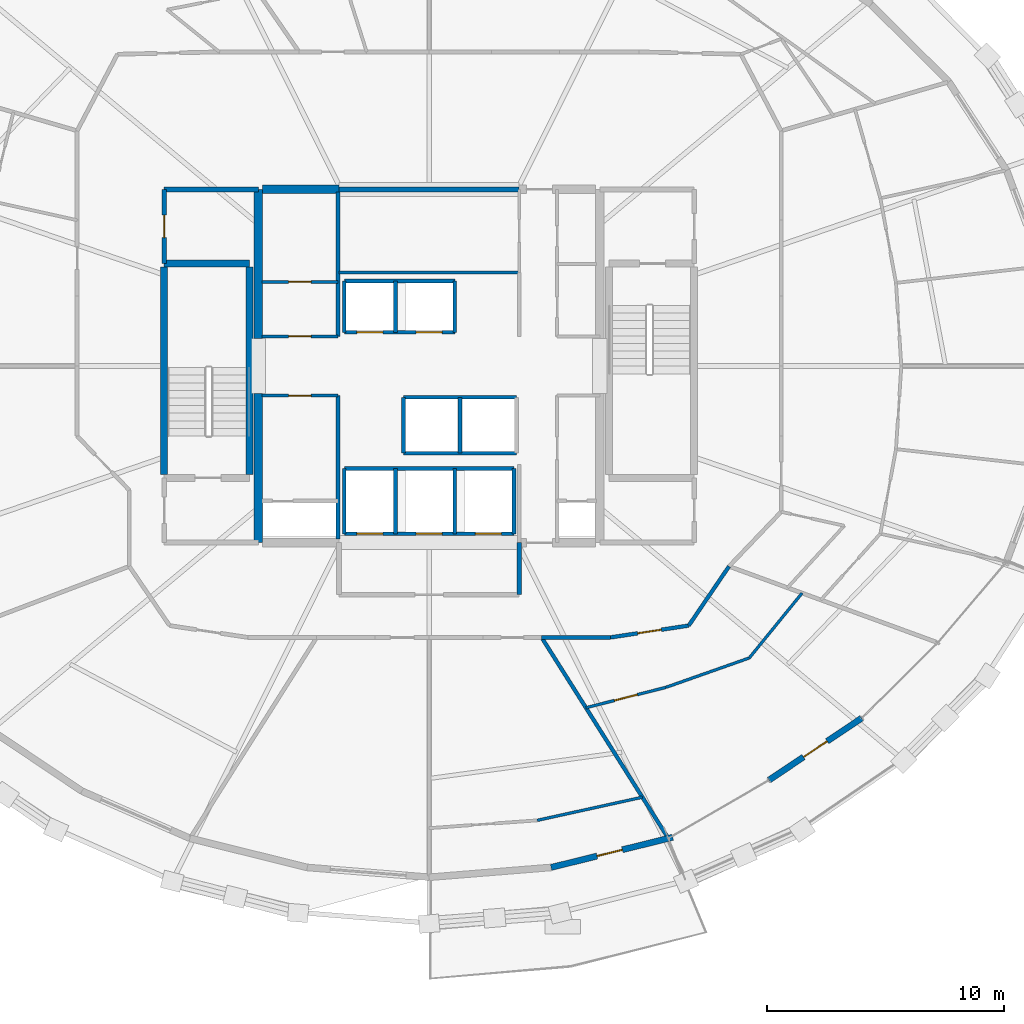
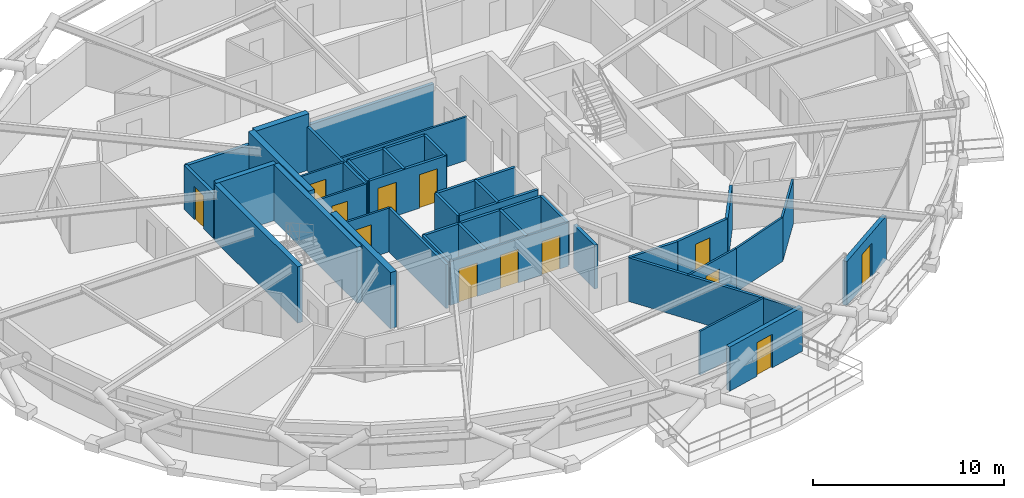
# One storey, part 10 of 14: 41 walls, 13 doors, 13 openings.
"""IFC4 building model written with IfcOpenShell, lengths in metres."""

from ifc_helpers import new_model, si_unit, direction, frame, frame_2d, origin, place, context, subcontext, project, spatial, rectangle, extrude, material, layer, layer_set, type_object, element, fill, save


model = new_model("IFC4")

# Units and contexts
model_context = context("Model", 3, precision=1e-05, world=origin(), true_north=direction((0.0, 1.0)))
body_context = subcontext(model_context, "Body", "Model", "MODEL_VIEW")
ifc_project = project(units=[si_unit("LENGTHUNIT", "METRE"), si_unit("AREAUNIT", "SQUARE_METRE"), si_unit("VOLUMEUNIT", "CUBIC_METRE"), si_unit("PLANEANGLEUNIT", "RADIAN"), si_unit("MASSUNIT", "GRAM", prefix="KILO")], contexts=[model_context])

# Site, building, storey
site_placement = place(None, origin())
site = spatial("IfcSite", under=ifc_project, at=site_placement, CompositionType="ELEMENT")
building_placement = place(site_placement, origin())
building = spatial("IfcBuilding", under=site, at=building_placement, Name="Veldorina Hangang Commons", CompositionType="ELEMENT")
storey_placement = place(building_placement, frame((0.0, 0.0, 149.60009765625)))
storey = spatial("IfcBuildingStorey", under=building, at=storey_placement, Name="L38", CompositionType="ELEMENT", Elevation=149.60009765625)

# Walls
ifc_material_1 = material(Name="Concrete C60/75", Category="concrete")
ifc_layer_1 = layer(ifc_material_1, 0.360107421875)
ifc_layer_set_1 = layer_set([ifc_layer_1], Name="Concrete C60/75")
wall_type_1 = type_object("IfcWallType", Name="CW-RC360-C60", PredefinedType="SHEAR", material=ifc_layer_set_1)
for number, where, z_axis, x_axis, name in (
    (1, (24.800048828125, 16.550048828125, 0.0), (0.0, 0.0, 1.0), (0.0, 1.0, 0.0), "L38 W south core shear wall"),
    (2, (24.800048828125, 25.14990234375, 0.0), (0.0, 0.0, 1.0), (0.0, 1.0, 0.0), "L38 W north core shear wall"),
):
    element("IfcWall", number, at=place(storey_placement, frame(where, z_axis=z_axis, x_axis=x_axis)), inside=storey, type_object=wall_type_1, Name=name, PredefinedType="SHEAR", context=body_context, shape_type="SweptSolid", body=[
        extrude(rectangle(XDim=6.300048828125, YDim=0.360107421875, at=frame_2d((3.14990234375, 0.0))), origin(), (0.0, 0.0, 1.0), 3.599853515625),
    ])
wall_1_placement = place(storey_placement, frame((24.97998046875, 31.449951171875, 0.0), z_axis=(0.0, 0.0, 1.0), x_axis=(1.0, 0.0, 0.0)))
element("IfcWall", 3, at=wall_1_placement, inside=storey, type_object=wall_type_1, Name="L38 north-west core shear wall", PredefinedType="SHEAR", context=body_context, shape_type="SweptSolid", body=[
    extrude(rectangle(XDim=3.219970703125, YDim=0.360107421875, at=frame_2d((1.60986328125, 0.0))), origin(), (0.0, 0.0, 1.0), 3.599853515625),
])

# Wall, opening, door
ifc_material_2 = material(Name="Stone Roman Travertine", Category="masonry")
ifc_layer_2 = layer(ifc_material_2, 0.260009765625)
ifc_layer_set_2 = layer_set([ifc_layer_2], Name="Stone Roman Travertine")
wall_type_2 = type_object("IfcWallType", Name="EW-LOGGIA-260", PredefinedType="STANDARD", material=ifc_layer_set_2)
wall_2_placement = place(storey_placement, frame((37.143798828125, 2.846435546875, 0.0), z_axis=(0.0, 0.0, 1.0), x_axis=(0.970567406562, 0.240829627165, 0.0)))
wall_2 = element("IfcWall", 4, at=wall_2_placement, inside=storey, type_object=wall_type_2, Name="L38 sky-garden loggia portal wall 25", PredefinedType="STANDARD", context=body_context, shape_type="SweptSolid", body=[
    extrude(rectangle(XDim=5.28759765625, YDim=0.260009765625, at=frame_2d((2.643798828125, 0.0))), origin(), (0.0, 0.0, 1.0), 2.81982421875),
])
opening_1_placement = place(wall_2_placement, frame((1.998046875, 0.0, 0.0)))
opening_1 = element("IfcOpeningElement", 5, at=opening_1_placement, cuts=wall_2, Name="Opening BD-1100", PredefinedType="OPENING", context=body_context, shape_type="SweptSolid", body=[
    extrude(rectangle(XDim=1.10009765625, YDim=2.14990234375, at=frame_2d((0.550048828125, 1.074951171875))), frame((0.0, 0.14013671875, 0.0), z_axis=(0.0, -1.0, 0.0), x_axis=(1.0, 0.0, 0.0)), (0.0, 0.0, 1.0), 0.280029296875),
])
ifc_material_3 = material(Name="Glass Thermal Aluminium Frame", Category="aluminium")
door_type_1 = type_object("IfcDoorType", Name="DR-EXT-BAL1100", OperationType="SINGLE_SWING_RIGHT", PredefinedType="DOOR", material=ifc_material_3)
door_1_placement = place(opening_1_placement, origin())
door_1 = element("IfcDoor", 6, at=door_1_placement, inside=storey, type_object=door_type_1, Name="L38 tree balcony glazed exterior door 25", OperationType="SINGLE_SWING_RIGHT", OverallHeight=2.14990234375, OverallWidth=1.10009765625, PredefinedType="DOOR", context=body_context, shape_type="SweptSolid", body=[
    extrude(rectangle(XDim=1.10009765625, YDim=2.14990234375, at=frame_2d((0.550048828125, 1.074951171875))), frame((0.0, 0.02490234375, 0.0), z_axis=(0.0, -1.0, 0.0), x_axis=(1.0, 0.0, 0.0)), (0.0, 0.0, 1.0), 0.050048828125),
])
fill(opening_1, door_1)

wall_3_placement = place(storey_placement, frame((46.3369140625, 6.532470703125, 0.0), z_axis=(0.0, 0.0, 1.0), x_axis=(0.831514821752, 0.555502566336, 0.0)))
wall_3 = element("IfcWall", 7, at=wall_3_placement, inside=storey, type_object=wall_type_2, Name="L38 sky-garden loggia portal wall 27", PredefinedType="STANDARD", context=body_context, shape_type="SweptSolid", body=[
    extrude(rectangle(XDim=4.703125, YDim=0.260009765625, at=frame_2d((2.3515625, 0.0))), origin(), (0.0, 0.0, 1.0), 2.81982421875),
])
opening_2_placement = place(wall_3_placement, frame((1.75146484375, 0.0, 0.0)))
opening_2 = element("IfcOpeningElement", 8, at=opening_2_placement, cuts=wall_3, Name="Opening BD-1200", PredefinedType="OPENING", context=body_context, shape_type="SweptSolid", body=[
    extrude(rectangle(XDim=1.199951171875, YDim=2.14990234375, at=frame_2d((0.60009765625, 1.074951171875))), frame((0.0, 0.14013671875, 0.0), z_axis=(0.0, -1.0, 0.0), x_axis=(1.0, 0.0, 0.0)), (0.0, 0.0, 1.0), 0.280029296875),
])
door_type_2 = type_object("IfcDoorType", Name="DR-EXT-LOG1200", OperationType="SINGLE_SWING_LEFT", PredefinedType="DOOR", material=ifc_material_3)
door_2_placement = place(opening_2_placement, origin())
door_2 = element("IfcDoor", 9, at=door_2_placement, inside=storey, type_object=door_type_2, Name="L38 loggia glazed exterior door 27", OperationType="SINGLE_SWING_RIGHT", OverallHeight=2.14990234375, OverallWidth=1.199951171875, PredefinedType="DOOR", context=body_context, shape_type="SweptSolid", body=[
    extrude(rectangle(XDim=1.199951171875, YDim=2.14990234375, at=frame_2d((0.60009765625, 1.074951171875))), frame((0.0, 0.02490234375, 0.0), z_axis=(0.0, -1.0, 0.0), x_axis=(1.0, 0.0, 0.0)), (0.0, 0.0, 1.0), 0.050048828125),
])
fill(opening_2, door_2)

# Walls
ifc_material_4 = material(Name="Concrete C50/60", Category="concrete")
ifc_layer_3 = layer(ifc_material_4, 0.300048828125)
ifc_layer_set_3 = layer_set([ifc_layer_3], Name="Concrete C50/60")
wall_type_3 = type_object("IfcWallType", Name="SW-STAIR-300", PredefinedType="SHEAR", material=ifc_layer_set_3)
for number, where, z_axis, x_axis, name in (
    (10, (20.820068359375, 19.429931640625, 0.0), (0.0, 0.0, 1.0), (0.0, 1.0, 0.0), "L38 ST1 outer stair shear wall"),
    (11, (24.419921875, 19.429931640625, 0.0), (0.0, 0.0, 1.0), (0.0, 1.0, 0.0), "L38 ST1 inner stair shear wall"),
):
    element("IfcWall", number, at=place(storey_placement, frame(where, z_axis=z_axis, x_axis=x_axis)), inside=storey, type_object=wall_type_3, Name=name, PredefinedType="SHEAR", context=body_context, shape_type="SweptSolid", body=[
        extrude(rectangle(XDim=8.739990234375, YDim=0.300048828125, at=frame_2d((4.3701171875, 0.0))), origin(), (0.0, 0.0, 1.0), 3.599853515625),
    ])
wall_4_placement = place(storey_placement, frame((20.820068359375, 28.320068359375, 0.0), z_axis=(0.0, 0.0, 1.0), x_axis=(1.0, 0.0, 0.0)))
element("IfcWall", 12, at=wall_4_placement, inside=storey, type_object=wall_type_3, Name="L38 ST1 north stair shear wall", PredefinedType="SHEAR", context=body_context, shape_type="SweptSolid", body=[
    extrude(rectangle(XDim=3.599853515625, YDim=0.300048828125, at=frame_2d((1.7998046875, 0.0))), origin(), (0.0, 0.0, 1.0), 3.599853515625),
])

# Wall, openings, doors
ifc_material_5 = material(Name="Gypsum Fire-Rated Twin Stud Wall", Category="gypsum")
ifc_layer_4 = layer(ifc_material_5, 0.159912109375)
ifc_layer_set_4 = layer_set([ifc_layer_4], Name="Gypsum Fire-Rated Twin Stud Wall")
wall_type_4 = type_object("IfcWallType", Name="WL-FIRE-160", PredefinedType="SOLIDWALL", material=ifc_layer_set_4)
wall_5_placement = place(storey_placement, frame((28.419921875, 25.419921875, 0.0), z_axis=(0.0, 0.0, 1.0), x_axis=(1.0, 0.0, 0.0)))
wall_5 = element("IfcWall", 13, at=wall_5_placement, inside=storey, type_object=wall_type_4, Name="L38 Mid-high front shaft wall 015", PredefinedType="SOLIDWALL", context=body_context, shape_type="SweptSolid", body=[
    extrude(rectangle(XDim=4.66015625, YDim=0.159912109375, at=frame_2d((2.330078125, 0.0))), origin(), (0.0, 0.0, 1.0), 2.7998046875),
])
opening_3_placement = place(wall_5_placement, frame((0.530029296875, 0.0, 0.0)))
opening_3 = element("IfcOpeningElement", 14, at=opening_3_placement, cuts=wall_5, Name="Opening LD-01", PredefinedType="OPENING", context=body_context, shape_type="SweptSolid", body=[
    extrude(rectangle(XDim=1.10009765625, YDim=2.14990234375, at=frame_2d((0.550048828125, 1.074951171875))), frame((0.0, 0.08984375, 0.0), z_axis=(0.0, -1.0, 0.0), x_axis=(1.0, 0.0, 0.0)), (0.0, 0.0, 1.0), 0.179931640625),
])
opening_4_placement = place(wall_5_placement, frame((3.030029296875, 0.0, 0.0)))
opening_4 = element("IfcOpeningElement", 15, at=opening_4_placement, cuts=wall_5, Name="Opening LD-01", PredefinedType="OPENING", context=body_context, shape_type="SweptSolid", body=[
    extrude(rectangle(XDim=1.10009765625, YDim=2.14990234375, at=frame_2d((0.550048828125, 1.074951171875))), frame((0.0, 0.08984375, 0.0), z_axis=(0.0, -1.0, 0.0), x_axis=(1.0, 0.0, 0.0)), (0.0, 0.0, 1.0), 0.179931640625),
])
ifc_material_6 = material(Name="Stainless Steel Brushed Lift Door", Category="steel")
door_type_3 = type_object("IfcDoorType", Name="DR-LIFT-1100", OperationType="SLIDING_TO_LEFT", PredefinedType="DOOR", material=ifc_material_6)
door_3_placement = place(opening_3_placement, origin())
door_3 = element("IfcDoor", 16, at=door_3_placement, inside=storey, type_object=door_type_3, Name="L38 Lift PL-M1 landing door 006", OperationType="SLIDING_TO_RIGHT", OverallHeight=2.14990234375, OverallWidth=1.10009765625, PredefinedType="DOOR", context=body_context, shape_type="SweptSolid", body=[
    extrude(rectangle(XDim=1.10009765625, YDim=2.14990234375, at=frame_2d((0.550048828125, 1.074951171875))), frame((0.0, 0.02490234375, 0.0), z_axis=(0.0, -1.0, 0.0), x_axis=(1.0, 0.0, 0.0)), (0.0, 0.0, 1.0), 0.050048828125),
])
fill(opening_3, door_3)
door_4_placement = place(opening_4_placement, origin())
door_4 = element("IfcDoor", 17, at=door_4_placement, inside=storey, type_object=door_type_3, Name="L38 Lift PL-M2 landing door 007", OperationType="SLIDING_TO_RIGHT", OverallHeight=2.14990234375, OverallWidth=1.10009765625, PredefinedType="DOOR", context=body_context, shape_type="SweptSolid", body=[
    extrude(rectangle(XDim=1.10009765625, YDim=2.14990234375, at=frame_2d((0.550048828125, 1.074951171875))), frame((0.0, 0.02490234375, 0.0), z_axis=(0.0, -1.0, 0.0), x_axis=(1.0, 0.0, 0.0)), (0.0, 0.0, 1.0), 0.050048828125),
])
fill(opening_4, door_4)

# Walls
wall_6_placement = place(storey_placement, frame((28.419921875, 27.580078125, 0.0), z_axis=(0.0, 0.0, 1.0), x_axis=(1.0, 0.0, 0.0)))
element("IfcWall", 18, at=wall_6_placement, inside=storey, type_object=wall_type_4, Name="L38 Mid-high rear shaft wall 016", PredefinedType="SOLIDWALL", context=body_context, shape_type="SweptSolid", body=[
    extrude(rectangle(XDim=4.66015625, YDim=0.159912109375, at=frame_2d((2.330078125, 0.0))), origin(), (0.0, 0.0, 1.0), 2.7998046875),
])
for number, where, z_axis, x_axis, name in (
    (19, (28.419921875, 25.419921875, 0.0), (0.0, 0.0, 1.0), (0.0, 1.0, 0.0), "L38 PL-M1 west shaft wall 017"),
    (20, (30.580078125, 25.419921875, 0.0), (0.0, 0.0, 1.0), (0.0, 1.0, 0.0), "L38 PL-M1 east shaft wall 018"),
    (21, (33.080078125, 25.419921875, 0.0), (0.0, 0.0, 1.0), (0.0, 1.0, 0.0), "L38 PL-M2 east shaft wall 019"),
):
    element("IfcWall", number, at=place(storey_placement, frame(where, z_axis=z_axis, x_axis=x_axis)), inside=storey, type_object=wall_type_4, Name=name, PredefinedType="SOLIDWALL", context=body_context, shape_type="SweptSolid", body=[
        extrude(rectangle(XDim=2.16015625, YDim=0.159912109375, at=frame_2d((1.080078125, 0.0))), origin(), (0.0, 0.0, 1.0), 2.7998046875),
    ])
for number, where, z_axis, x_axis, name in (
    (22, (30.919921875, 22.679931640625, 0.0), (0.0, 0.0, 1.0), (1.0, 0.0, 0.0), "L38 Shuttle-high front shaft wall 020"),
    (23, (30.919921875, 20.320068359375, 0.0), (0.0, 0.0, 1.0), (1.0, 0.0, 0.0), "L38 Shuttle-high rear shaft wall 021"),
):
    element("IfcWall", number, at=place(storey_placement, frame(where, z_axis=z_axis, x_axis=x_axis)), inside=storey, type_object=wall_type_4, Name=name, PredefinedType="SOLIDWALL", context=body_context, shape_type="SweptSolid", body=[
        extrude(rectangle(XDim=4.760009765625, YDim=0.159912109375, at=frame_2d((2.3798828125, 0.0))), origin(), (0.0, 0.0, 1.0), 2.7998046875),
    ])
for number, where, z_axis, x_axis, name in (
    (24, (30.919921875, 20.320068359375, 0.0), (0.0, 0.0, 1.0), (0.0, 1.0, 0.0), "L38 SL-1 west shaft wall 022"),
    (25, (33.300048828125, 20.320068359375, 0.0), (0.0, 0.0, 1.0), (0.0, 1.0, 0.0), "L38 SL-1 east shaft wall 023"),
):
    element("IfcWall", number, at=place(storey_placement, frame(where, z_axis=z_axis, x_axis=x_axis)), inside=storey, type_object=wall_type_4, Name=name, PredefinedType="SOLIDWALL", context=body_context, shape_type="SweptSolid", body=[
        extrude(rectangle(XDim=2.35986328125, YDim=0.159912109375, at=frame_2d((1.179931640625, 0.0))), origin(), (0.0, 0.0, 1.0), 2.7998046875),
    ])

# Wall, openings, doors
wall_7_placement = place(storey_placement, frame((28.419921875, 16.919921875, 0.0), z_axis=(0.0, 0.0, 1.0), x_axis=(1.0, 0.0, 0.0)))
wall_7 = element("IfcWall", 26, at=wall_7_placement, inside=storey, type_object=wall_type_4, Name="L38 Emergency front shaft wall 025", PredefinedType="SOLIDWALL", context=body_context, shape_type="SweptSolid", body=[
    extrude(rectangle(XDim=7.16015625, YDim=0.159912109375, at=frame_2d((3.580078125, 0.0))), origin(), (0.0, 0.0, 1.0), 2.7998046875),
])
opening_5_placement = place(wall_7_placement, frame((0.530029296875, 0.0, 0.0)))
opening_5 = element("IfcOpeningElement", 27, at=opening_5_placement, cuts=wall_7, Name="Opening LD-03", PredefinedType="OPENING", context=body_context, shape_type="SweptSolid", body=[
    extrude(rectangle(XDim=1.10009765625, YDim=2.14990234375, at=frame_2d((0.550048828125, 1.074951171875))), frame((0.0, 0.08984375, 0.0), z_axis=(0.0, -1.0, 0.0), x_axis=(1.0, 0.0, 0.0)), (0.0, 0.0, 1.0), 0.179931640625),
])
opening_6_placement = place(wall_7_placement, frame((3.030029296875, 0.0, 0.0)))
opening_6 = element("IfcOpeningElement", 28, at=opening_6_placement, cuts=wall_7, Name="Opening LD-03", PredefinedType="OPENING", context=body_context, shape_type="SweptSolid", body=[
    extrude(rectangle(XDim=1.10009765625, YDim=2.14990234375, at=frame_2d((0.550048828125, 1.074951171875))), frame((0.0, 0.08984375, 0.0), z_axis=(0.0, -1.0, 0.0), x_axis=(1.0, 0.0, 0.0)), (0.0, 0.0, 1.0), 0.179931640625),
])
opening_7_placement = place(wall_7_placement, frame((5.530029296875, 0.0, 0.0)))
opening_7 = element("IfcOpeningElement", 29, at=opening_7_placement, cuts=wall_7, Name="Opening LD-03", PredefinedType="OPENING", context=body_context, shape_type="SweptSolid", body=[
    extrude(rectangle(XDim=1.10009765625, YDim=2.14990234375, at=frame_2d((0.550048828125, 1.074951171875))), frame((0.0, 0.08984375, 0.0), z_axis=(0.0, -1.0, 0.0), x_axis=(1.0, 0.0, 0.0)), (0.0, 0.0, 1.0), 0.179931640625),
])
ifc_material_7 = material(Name="Stainless Steel Firefighting Lift Door", Category="steel")
door_type_4 = type_object("IfcDoorType", Name="DR-LIFT-FF1100", OperationType="SLIDING_TO_RIGHT", PredefinedType="DOOR", material=ifc_material_7)
door_5_placement = place(opening_5_placement, origin())
door_5 = element("IfcDoor", 30, at=door_5_placement, inside=storey, type_object=door_type_4, Name="L38 Emergency lift FFL-1 landing door 008", OperationType="SLIDING_TO_RIGHT", OverallHeight=2.14990234375, OverallWidth=1.10009765625, PredefinedType="DOOR", context=body_context, shape_type="SweptSolid", body=[
    extrude(rectangle(XDim=1.10009765625, YDim=2.14990234375, at=frame_2d((0.550048828125, 1.074951171875))), frame((0.0, 0.02490234375, 0.0), z_axis=(0.0, -1.0, 0.0), x_axis=(1.0, 0.0, 0.0)), (0.0, 0.0, 1.0), 0.050048828125),
])
fill(opening_5, door_5)
door_6_placement = place(opening_6_placement, origin())
door_6 = element("IfcDoor", 31, at=door_6_placement, inside=storey, type_object=door_type_4, Name="L38 Emergency lift FFL-2 landing door 009", OperationType="SLIDING_TO_RIGHT", OverallHeight=2.14990234375, OverallWidth=1.10009765625, PredefinedType="DOOR", context=body_context, shape_type="SweptSolid", body=[
    extrude(rectangle(XDim=1.10009765625, YDim=2.14990234375, at=frame_2d((0.550048828125, 1.074951171875))), frame((0.0, 0.02490234375, 0.0), z_axis=(0.0, -1.0, 0.0), x_axis=(1.0, 0.0, 0.0)), (0.0, 0.0, 1.0), 0.050048828125),
])
fill(opening_6, door_6)
door_7_placement = place(opening_7_placement, origin())
door_7 = element("IfcDoor", 32, at=door_7_placement, inside=storey, type_object=door_type_4, Name="L38 Emergency lift EVL-1 landing door 010", OperationType="SLIDING_TO_RIGHT", OverallHeight=2.14990234375, OverallWidth=1.10009765625, PredefinedType="DOOR", context=body_context, shape_type="SweptSolid", body=[
    extrude(rectangle(XDim=1.10009765625, YDim=2.14990234375, at=frame_2d((0.550048828125, 1.074951171875))), frame((0.0, 0.02490234375, 0.0), z_axis=(0.0, -1.0, 0.0), x_axis=(1.0, 0.0, 0.0)), (0.0, 0.0, 1.0), 0.050048828125),
])
fill(opening_7, door_7)

# Walls
wall_8_placement = place(storey_placement, frame((28.419921875, 19.679931640625, 0.0), z_axis=(0.0, 0.0, 1.0), x_axis=(1.0, 0.0, 0.0)))
element("IfcWall", 33, at=wall_8_placement, inside=storey, type_object=wall_type_4, Name="L38 Emergency rear shaft wall 026", PredefinedType="SOLIDWALL", context=body_context, shape_type="SweptSolid", body=[
    extrude(rectangle(XDim=7.16015625, YDim=0.159912109375, at=frame_2d((3.580078125, 0.0))), origin(), (0.0, 0.0, 1.0), 2.7998046875),
])
for number, where, z_axis, x_axis, name in (
    (34, (28.419921875, 16.919921875, 0.0), (0.0, 0.0, 1.0), (0.0, 1.0, 0.0), "L38 FFL-1 west shaft wall 027"),
    (35, (30.580078125, 16.919921875, 0.0), (0.0, 0.0, 1.0), (0.0, 1.0, 0.0), "L38 FFL-1 east shaft wall 028"),
    (36, (33.080078125, 16.919921875, 0.0), (0.0, 0.0, 1.0), (0.0, 1.0, 0.0), "L38 FFL-2 east shaft wall 029"),
    (37, (35.580078125, 16.919921875, 0.0), (0.0, 0.0, 1.0), (0.0, 1.0, 0.0), "L38 EVL-1 east shaft wall 030"),
):
    element("IfcWall", number, at=place(storey_placement, frame(where, z_axis=z_axis, x_axis=x_axis)), inside=storey, type_object=wall_type_4, Name=name, PredefinedType="SOLIDWALL", context=body_context, shape_type="SweptSolid", body=[
        extrude(rectangle(XDim=2.760009765625, YDim=0.159912109375, at=frame_2d((1.3798828125, 0.0))), origin(), (0.0, 0.0, 1.0), 2.7998046875),
    ])
wall_9_placement = place(storey_placement, frame((28.14990234375, 16.699951171875, 0.0), z_axis=(0.0, 0.0, 1.0), x_axis=(0.0, 1.0, 0.0)))
element("IfcWall", 38, at=wall_9_placement, inside=storey, type_object=wall_type_4, Name="L38 SW core inner wall 035", PredefinedType="SOLIDWALL", context=body_context, shape_type="SweptSolid", body=[
    extrude(rectangle(XDim=6.050048828125, YDim=0.159912109375, at=frame_2d((3.02490234375, 0.0))), origin(), (0.0, 0.0, 1.0), 2.7998046875),
])
wall_10_placement = place(storey_placement, frame((28.14990234375, 25.25, 0.0), z_axis=(0.0, 0.0, 1.0), x_axis=(0.0, 1.0, 0.0)))
element("IfcWall", 39, at=wall_10_placement, inside=storey, type_object=wall_type_4, Name="L38 NW core inner wall 037", PredefinedType="SOLIDWALL", context=body_context, shape_type="SweptSolid", body=[
    extrude(rectangle(XDim=6.10009765625, YDim=0.159912109375, at=frame_2d((3.050048828125, 0.0))), origin(), (0.0, 0.0, 1.0), 2.7998046875),
])
wall_11_placement = place(storey_placement, frame((36.74267578125, 12.550048828125, 0.0), z_axis=(0.0, 0.0, 1.0), x_axis=(1.0, 0.0, 0.0)))
element("IfcWall", 40, at=wall_11_placement, inside=storey, type_object=wall_type_4, Name="L38 U-corridor outer wall 26 072", PredefinedType="SOLIDWALL", context=body_context, shape_type="SweptSolid", body=[
    extrude(rectangle(XDim=2.907958984375, YDim=0.159912109375, at=frame_2d((1.4541015625, 0.0))), origin(), (0.0, 0.0, 1.0), 2.7998046875),
])

# Wall, opening, door
wall_12_placement = place(storey_placement, frame((39.650634765625, 12.550048828125, 0.0), z_axis=(0.0, 0.0, 1.0), x_axis=(0.988710906508, 0.149835721217, 0.0)))
wall_12 = element("IfcWall", 41, at=wall_12_placement, inside=storey, type_object=wall_type_4, Name="L38 U-corridor outer wall 27 073", PredefinedType="SOLIDWALL", context=body_context, shape_type="SweptSolid", body=[
    extrude(rectangle(XDim=3.3369140625, YDim=0.159912109375, at=frame_2d((1.66845703125, 0.0))), origin(), (0.0, 0.0, 1.0), 2.7998046875),
])
opening_8_placement = place(wall_12_placement, frame((1.16845703125, 0.0, 0.0)))
opening_8 = element("IfcOpeningElement", 42, at=opening_8_placement, cuts=wall_12, Name="Opening D-05", PredefinedType="OPENING", context=body_context, shape_type="SweptSolid", body=[
    extrude(rectangle(XDim=1.0, YDim=2.10009765625, at=frame_2d((0.5, 1.050048828125))), frame((0.0, 0.08984375, 0.0), z_axis=(0.0, -1.0, 0.0), x_axis=(1.0, 0.0, 0.0)), (0.0, 0.0, 1.0), 0.179931640625),
])
ifc_material_8 = material(Name="Timber Solid Core Acoustic", Category="wood")
door_type_5 = type_object("IfcDoorType", Name="DR-INT-1000", OperationType="SINGLE_SWING_RIGHT", PredefinedType="DOOR", material=ifc_material_8)
door_8_placement = place(opening_8_placement, origin())
door_8 = element("IfcDoor", 43, at=door_8_placement, inside=storey, type_object=door_type_5, Name="L38 Commons alcove door 020", OperationType="SINGLE_SWING_RIGHT", OverallHeight=2.10009765625, OverallWidth=1.0, PredefinedType="DOOR", context=body_context, shape_type="SweptSolid", body=[
    extrude(rectangle(XDim=1.0, YDim=2.10009765625, at=frame_2d((0.5, 1.050048828125))), frame((0.0, 0.02490234375, 0.0), z_axis=(0.0, -1.0, 0.0), x_axis=(1.0, 0.0, 0.0)), (0.0, 0.0, 1.0), 0.050048828125),
])
fill(opening_8, door_8)

# Walls
wall_13_placement = place(storey_placement, frame((42.949951171875, 13.050048828125, 0.0), z_axis=(0.0, 0.0, 1.0), x_axis=(0.562674669208, 0.826678423955, 0.0)))
element("IfcWall", 44, at=wall_13_placement, inside=storey, type_object=wall_type_4, Name="L38 U-corridor outer wall 28 074", PredefinedType="SOLIDWALL", context=body_context, shape_type="SweptSolid", body=[
    extrude(rectangle(XDim=3.021240234375, YDim=0.159912109375, at=frame_2d((1.5107421875, 0.0))), origin(), (0.0, 0.0, 1.0), 2.7998046875),
])
wall_14_placement = place(storey_placement, frame((36.74267578125, 12.550048828125, 0.0), z_axis=(0.0, 0.0, 1.0), x_axis=(0.533539707284, -0.84577501781, 0.0)))
element("IfcWall", 45, at=wall_14_placement, inside=storey, type_object=wall_type_4, Name="L38 Unit party wall 26 078", PredefinedType="SOLIDWALL", context=body_context, shape_type="SweptSolid", body=[
    extrude(rectangle(XDim=9.9716796875, YDim=0.159912109375, at=frame_2d((4.98583984375, 0.0))), origin(), (0.0, 0.0, 1.0), 2.7998046875),
])

# Wall, opening, door
ifc_material_9 = material(Name="Concrete Blockwork Fire Wall C30/37", Category="masonry")
ifc_layer_5 = layer(ifc_material_9, 0.199951171875)
ifc_layer_set_5 = layer_set([ifc_layer_5], Name="Concrete Blockwork Fire Wall C30/37")
wall_type_5 = type_object("IfcWallType", Name="WL-FIRE-200", PredefinedType="SOLIDWALL", material=ifc_layer_set_5)
wall_15_placement = place(storey_placement, frame((20.820068359375, 28.320068359375, 0.0), z_axis=(0.0, 0.0, 1.0), x_axis=(0.0, 1.0, 0.0)))
wall_15 = element("IfcWall", 46, at=wall_15_placement, inside=storey, type_object=wall_type_5, Name="L38 NW core room outer wall 005", PredefinedType="SOLIDWALL", context=body_context, shape_type="SweptSolid", body=[
    extrude(rectangle(XDim=3.1298828125, YDim=0.199951171875, at=frame_2d((1.56494140625, 0.0))), origin(), (0.0, 0.0, 1.0), 2.7998046875),
])
opening_9_placement = place(wall_15_placement, frame((1.090087890625, 0.0, 0.0)))
opening_9 = element("IfcOpeningElement", 47, at=opening_9_placement, cuts=wall_15, Name="Opening D-04", PredefinedType="OPENING", context=body_context, shape_type="SweptSolid", body=[
    extrude(rectangle(XDim=0.949951171875, YDim=2.10009765625, at=frame_2d((0.47509765625, 1.050048828125))), frame((0.0, 0.10986328125, 0.0), z_axis=(0.0, -1.0, 0.0), x_axis=(1.0, 0.0, 0.0)), (0.0, 0.0, 1.0), 0.219970703125),
])
ifc_material_10 = material(Name="Timber Accessible Flush Leaf", Category="wood")
door_type_6 = type_object("IfcDoorType", Name="DR-ACC-950", OperationType="SINGLE_SWING_LEFT", PredefinedType="DOOR", material=ifc_material_10)
door_9_placement = place(opening_9_placement, origin())
door_9 = element("IfcDoor", 48, at=door_9_placement, inside=storey, type_object=door_type_6, Name="L38 NW core WC door 003", OperationType="SINGLE_SWING_LEFT", OverallHeight=2.10009765625, OverallWidth=0.949951171875, PredefinedType="DOOR", context=body_context, shape_type="SweptSolid", body=[
    extrude(rectangle(XDim=0.949951171875, YDim=2.10009765625, at=frame_2d((0.47509765625, 1.050048828125))), frame((0.0, 0.02490234375, 0.0), z_axis=(0.0, -1.0, 0.0), x_axis=(1.0, 0.0, 0.0)), (0.0, 0.0, 1.0), 0.050048828125),
])
fill(opening_9, door_9)

# Walls
wall_16_placement = place(storey_placement, frame((20.820068359375, 31.449951171875, 0.0), z_axis=(0.0, 0.0, 1.0), x_axis=(1.0, 0.0, 0.0)))
element("IfcWall", 49, at=wall_16_placement, inside=storey, type_object=wall_type_5, Name="L38 NW core room north wall 006", PredefinedType="SOLIDWALL", context=body_context, shape_type="SweptSolid", body=[
    extrude(rectangle(XDim=3.97998046875, YDim=0.199951171875, at=frame_2d((1.989990234375, 0.0))), origin(), (0.0, 0.0, 1.0), 2.7998046875),
])
wall_17_placement = place(storey_placement, frame((35.800048828125, 14.35009765625, 0.0), z_axis=(0.0, 0.0, 1.0), x_axis=(0.0, 1.0, 0.0)))
element("IfcWall", 50, at=wall_17_placement, inside=storey, type_object=wall_type_5, Name="L38 FF lobby east wall 013", PredefinedType="SOLIDWALL", context=body_context, shape_type="SweptSolid", body=[
    extrude(rectangle(XDim=2.199951171875, YDim=0.199951171875, at=frame_2d((1.10009765625, 0.0))), origin(), (0.0, 0.0, 1.0), 2.7998046875),
])
wall_18_placement = place(storey_placement, frame((28.199951171875, 31.449951171875, 0.0), z_axis=(0.0, 0.0, 1.0), x_axis=(1.0, 0.0, 0.0)))
element("IfcWall", 51, at=wall_18_placement, inside=storey, type_object=wall_type_5, Name="L38 Merged north core wall 031", PredefinedType="SOLIDWALL", context=body_context, shape_type="SweptSolid", body=[
    extrude(rectangle(XDim=7.60009765625, YDim=0.199951171875, at=frame_2d((3.800048828125, 0.0))), origin(), (0.0, 0.0, 1.0), 2.7998046875),
])
ifc_material_11 = material(Name="Gypsum Acoustic Stud Partition", Category="gypsum")
ifc_layer_6 = layer(ifc_material_11, 0.1201171875)
ifc_layer_set_6 = layer_set([ifc_layer_6], Name="Gypsum Acoustic Stud Partition")
wall_type_6 = type_object("IfcWallType", Name="WL-PART-120", PredefinedType="PARTITIONING", material=ifc_layer_set_6)
wall_19_placement = place(storey_placement, frame((28.199951171875, 27.949951171875, 0.0), z_axis=(0.0, 0.0, 1.0), x_axis=(1.0, 0.0, 0.0)))
element("IfcWall", 52, at=wall_19_placement, inside=storey, type_object=wall_type_6, Name="L38 Merged north south wall 032", PredefinedType="PARTITIONING", context=body_context, shape_type="SweptSolid", body=[
    extrude(rectangle(XDim=7.60009765625, YDim=0.1201171875, at=frame_2d((3.800048828125, 0.0))), origin(), (0.0, 0.0, 1.0), 2.7998046875),
])

# Wall, opening, door
wall_20_placement = place(storey_placement, frame((24.949951171875, 25.25, 0.0), z_axis=(0.0, 0.0, 1.0), x_axis=(1.0, 0.0, 0.0)))
wall_20 = element("IfcWall", 53, at=wall_20_placement, inside=storey, type_object=wall_type_6, Name="L38 NW service south wall 038", PredefinedType="PARTITIONING", context=body_context, shape_type="SweptSolid", body=[
    extrude(rectangle(XDim=3.199951171875, YDim=0.1201171875, at=frame_2d((1.60009765625, 0.0))), origin(), (0.0, 0.0, 1.0), 2.7998046875),
])
opening_10_placement = place(wall_20_placement, frame((1.125, 0.0, 0.0)))
opening_10 = element("IfcOpeningElement", 54, at=opening_10_placement, cuts=wall_20, Name="Opening D-02", PredefinedType="OPENING", context=body_context, shape_type="SweptSolid", body=[
    extrude(rectangle(XDim=0.949951171875, YDim=2.10009765625, at=frame_2d((0.47509765625, 1.050048828125))), frame((0.0, 0.070068359375, 0.0), z_axis=(0.0, -1.0, 0.0), x_axis=(1.0, 0.0, 0.0)), (0.0, 0.0, 1.0), 0.14013671875),
])
door_type_7 = type_object("IfcDoorType", Name="DR-INT-950", OperationType="SINGLE_SWING_LEFT", PredefinedType="DOOR", material=ifc_material_8)
door_10_placement = place(opening_10_placement, origin())
door_10 = element("IfcDoor", 55, at=door_10_placement, inside=storey, type_object=door_type_7, Name="L38 Housekeeping pantry door 014", OperationType="SINGLE_SWING_RIGHT", OverallHeight=2.10009765625, OverallWidth=0.949951171875, PredefinedType="DOOR", context=body_context, shape_type="SweptSolid", body=[
    extrude(rectangle(XDim=0.949951171875, YDim=2.10009765625, at=frame_2d((0.47509765625, 1.050048828125))), frame((0.0, 0.02490234375, 0.0), z_axis=(0.0, -1.0, 0.0), x_axis=(1.0, 0.0, 0.0)), (0.0, 0.0, 1.0), 0.050048828125),
])
fill(opening_10, door_10)

wall_21_placement = place(storey_placement, frame((24.949951171875, 22.75, 0.0), z_axis=(0.0, 0.0, 1.0), x_axis=(1.0, 0.0, 0.0)))
wall_21 = element("IfcWall", 56, at=wall_21_placement, inside=storey, type_object=wall_type_6, Name="L38 SW service north wall 039", PredefinedType="PARTITIONING", context=body_context, shape_type="SweptSolid", body=[
    extrude(rectangle(XDim=3.199951171875, YDim=0.1201171875, at=frame_2d((1.60009765625, 0.0))), origin(), (0.0, 0.0, 1.0), 2.7998046875),
])
opening_11_placement = place(wall_21_placement, frame((1.125, 0.0, 0.0)))
opening_11 = element("IfcOpeningElement", 57, at=opening_11_placement, cuts=wall_21, Name="Opening D-02", PredefinedType="OPENING", context=body_context, shape_type="SweptSolid", body=[
    extrude(rectangle(XDim=0.949951171875, YDim=2.10009765625, at=frame_2d((0.47509765625, 1.050048828125))), frame((0.0, 0.070068359375, 0.0), z_axis=(0.0, -1.0, 0.0), x_axis=(1.0, 0.0, 0.0)), (0.0, 0.0, 1.0), 0.14013671875),
])
door_11_placement = place(opening_11_placement, origin())
door_11 = element("IfcDoor", 58, at=door_11_placement, inside=storey, type_object=door_type_7, Name="L38 Waste sorting door 016", OperationType="SINGLE_SWING_RIGHT", OverallHeight=2.10009765625, OverallWidth=0.949951171875, PredefinedType="DOOR", context=body_context, shape_type="SweptSolid", body=[
    extrude(rectangle(XDim=0.949951171875, YDim=2.10009765625, at=frame_2d((0.47509765625, 1.050048828125))), frame((0.0, 0.02490234375, 0.0), z_axis=(0.0, -1.0, 0.0), x_axis=(1.0, 0.0, 0.0)), (0.0, 0.0, 1.0), 0.050048828125),
])
fill(opening_11, door_11)

wall_22_placement = place(storey_placement, frame((24.949951171875, 27.550048828125, 0.0), z_axis=(0.0, 0.0, 1.0), x_axis=(1.0, 0.0, 0.0)))
wall_22 = element("IfcWall", 59, at=wall_22_placement, inside=storey, type_object=wall_type_6, Name="L38 NW mid wall 044", PredefinedType="PARTITIONING", context=body_context, shape_type="SweptSolid", body=[
    extrude(rectangle(XDim=3.199951171875, YDim=0.1201171875, at=frame_2d((1.60009765625, 0.0))), origin(), (0.0, 0.0, 1.0), 2.7998046875),
])
opening_12_placement = place(wall_22_placement, frame((1.125, 0.0, 0.0)))
opening_12 = element("IfcOpeningElement", 60, at=opening_12_placement, cuts=wall_22, Name="Opening D-02", PredefinedType="OPENING", context=body_context, shape_type="SweptSolid", body=[
    extrude(rectangle(XDim=0.949951171875, YDim=2.10009765625, at=frame_2d((0.47509765625, 1.050048828125))), frame((0.0, 0.070068359375, 0.0), z_axis=(0.0, -1.0, 0.0), x_axis=(1.0, 0.0, 0.0)), (0.0, 0.0, 1.0), 0.14013671875),
])
door_12_placement = place(opening_12_placement, origin())
door_12 = element("IfcDoor", 61, at=door_12_placement, inside=storey, type_object=door_type_7, Name="L38 Bedding store door 015", OperationType="SINGLE_SWING_LEFT", OverallHeight=2.10009765625, OverallWidth=0.949951171875, PredefinedType="DOOR", context=body_context, shape_type="SweptSolid", body=[
    extrude(rectangle(XDim=0.949951171875, YDim=2.10009765625, at=frame_2d((0.47509765625, 1.050048828125))), frame((0.0, 0.02490234375, 0.0), z_axis=(0.0, -1.0, 0.0), x_axis=(1.0, 0.0, 0.0)), (0.0, 0.0, 1.0), 0.050048828125),
])
fill(opening_12, door_12)

wall_23_placement = place(storey_placement, frame((38.6142578125, 9.583251953125, 0.0), z_axis=(0.0, 0.0, 1.0), x_axis=(0.969019467612, 0.246984354543, 0.0)))
wall_23 = element("IfcWall", 62, at=wall_23_placement, inside=storey, type_object=wall_type_6, Name="L38 Lounge alcove split 0 079", PredefinedType="PARTITIONING", context=body_context, shape_type="SweptSolid", body=[
    extrude(rectangle(XDim=3.484375, YDim=0.1201171875, at=frame_2d((1.7421875, 0.0))), origin(), (0.0, 0.0, 1.0), 2.7998046875),
])
opening_13_placement = place(wall_23_placement, frame((1.2421875, 0.0, 0.0)))
opening_13 = element("IfcOpeningElement", 63, at=opening_13_placement, cuts=wall_23, Name="Opening D-05", PredefinedType="OPENING", context=body_context, shape_type="SweptSolid", body=[
    extrude(rectangle(XDim=1.0, YDim=2.10009765625, at=frame_2d((0.5, 1.050048828125))), frame((0.0, 0.070068359375, 0.0), z_axis=(0.0, -1.0, 0.0), x_axis=(1.0, 0.0, 0.0)), (0.0, 0.0, 1.0), 0.14013671875),
])
door_13_placement = place(opening_13_placement, origin())
door_13 = element("IfcDoor", 64, at=door_13_placement, inside=storey, type_object=door_type_5, Name="L38 Commons lounge door 021", OperationType="SINGLE_SWING_LEFT", OverallHeight=2.10009765625, OverallWidth=1.0, PredefinedType="DOOR", context=body_context, shape_type="SweptSolid", body=[
    extrude(rectangle(XDim=1.0, YDim=2.10009765625, at=frame_2d((0.5, 1.050048828125))), frame((0.0, 0.02490234375, 0.0), z_axis=(0.0, -1.0, 0.0), x_axis=(1.0, 0.0, 0.0)), (0.0, 0.0, 1.0), 0.050048828125),
])
fill(opening_13, door_13)

# Walls
wall_24_placement = place(storey_placement, frame((41.99072265625, 10.44384765625, 0.0), z_axis=(0.0, 0.0, 1.0), x_axis=(0.943035086746, 0.332693289932, 0.0)))
element("IfcWall", 65, at=wall_24_placement, inside=storey, type_object=wall_type_6, Name="L38 Lounge alcove split 1 080", PredefinedType="PARTITIONING", context=body_context, shape_type="SweptSolid", body=[
    extrude(rectangle(XDim=3.7255859375, YDim=0.1201171875, at=frame_2d((1.86279296875, 0.0))), origin(), (0.0, 0.0, 1.0), 2.7998046875),
])
wall_25_placement = place(storey_placement, frame((45.504150390625, 11.683349609375, 0.0), z_axis=(0.0, 0.0, 1.0), x_axis=(0.631277203428, 0.775557278628, 0.0)))
element("IfcWall", 66, at=wall_25_placement, inside=storey, type_object=wall_type_6, Name="L38 Lounge alcove split 2 081", PredefinedType="PARTITIONING", context=body_context, shape_type="SweptSolid", body=[
    extrude(rectangle(XDim=3.52978515625, YDim=0.1201171875, at=frame_2d((1.764892578125, 0.0))), origin(), (0.0, 0.0, 1.0), 2.7998046875),
])
wall_26_placement = place(storey_placement, frame((36.556884765625, 4.832763671875, 0.0), z_axis=(0.0, 0.0, 1.0), x_axis=(0.976660021945, 0.21479106484, 0.0)))
element("IfcWall", 67, at=wall_26_placement, inside=storey, type_object=wall_type_6, Name="L38 Laundry split 1 118", PredefinedType="PARTITIONING", context=body_context, shape_type="SweptSolid", body=[
    extrude(rectangle(XDim=4.544189453125, YDim=0.1201171875, at=frame_2d((2.27197265625, 0.0))), origin(), (0.0, 0.0, 1.0), 2.7998046875),
])

save(model, "model.ifc")
